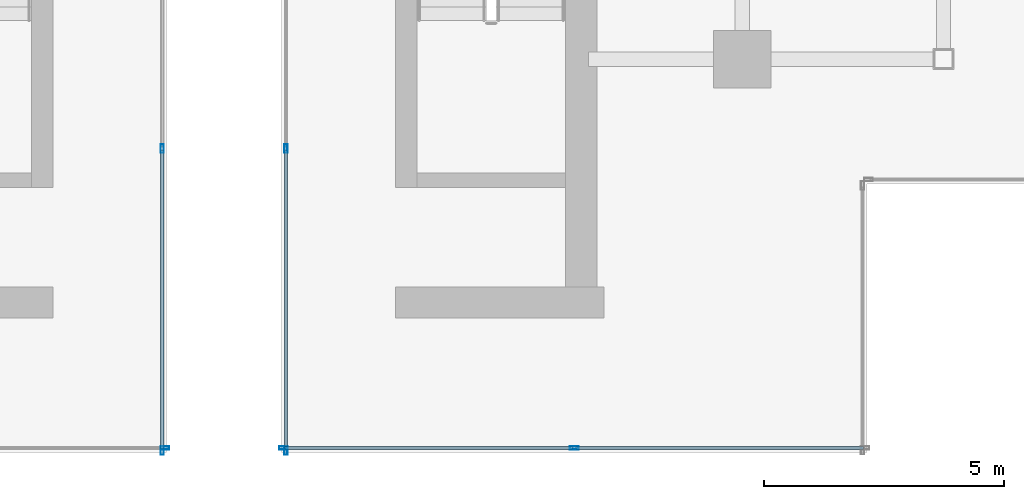
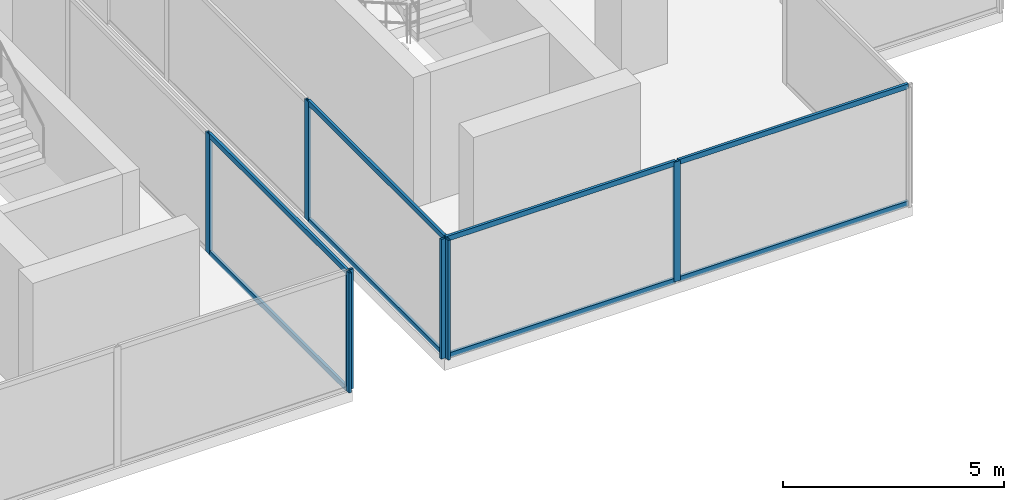
# One storey, part 5 of 25: 15 members, 4 elements without a shape of their own.
"""IFC4 building model written with IfcOpenShell, lengths in metres."""

from ifc_helpers import new_model, si_unit, direction, frame, origin, origin_2d, place, context, subcontext, project, spatial, hollow_rectangle, extrude, source, transform, mapped, material, material_profile, profile_set, type_object, type_shapes, element, aggregate, save


model = new_model("IFC4")

# Units and contexts
model_context = context("Model", 3, precision=1e-05, world=origin(), true_north=direction((0.0, 1.0)))
body_context = subcontext(model_context, "Body", "Model", "MODEL_VIEW")
ifc_project = project(units=[si_unit("LENGTHUNIT", "METRE"), si_unit("AREAUNIT", "SQUARE_METRE"), si_unit("VOLUMEUNIT", "CUBIC_METRE"), si_unit("PLANEANGLEUNIT", "RADIAN"), si_unit("MASSUNIT", "GRAM", prefix="KILO")], contexts=[model_context])

# Site, building, storey
site_placement = place(None, origin())
site = spatial("IfcSite", under=ifc_project, at=site_placement, CompositionType="ELEMENT")
building_placement = place(site_placement, origin())
building = spatial("IfcBuilding", under=site, at=building_placement, Name="Krantzveldt Concourse Tower", CompositionType="ELEMENT")
storey_placement = place(building_placement, frame((0.0, 0.0, 374.64990234375)))
storey = spatial("IfcBuildingStorey", under=building, at=storey_placement, Name="L92", CompositionType="ELEMENT", Elevation=374.64990234375)

# Curtain wall, members
ifc_material = material(Name="Anodised aluminium 6063-T6", Category="aluminium")
curtain_wall_type = type_object("IfcCurtainWallType", Name="CW7", PredefinedType="USERDEFINED", material=ifc_material)
curtain_wall_1_placement = place(storey_placement, origin())
curtain_wall_1 = element("IfcCurtainWall", 1, at=curtain_wall_1_placement, inside=storey, type_object=curtain_wall_type, Name="CW-L92-EAST-00", ObjectType="UNITISED CURTAIN WALL", PredefinedType="USERDEFINED")
ifc_material_profile_1 = material_profile(ifc_material, hollow_rectangle(XDim=0.070068359375, YDim=0.139892578125, WallThickness=0.0048828125, at=origin_2d()), Name="Anodised aluminium 6063-T6", Category="aluminium")
ifc_profile_set_1 = profile_set([ifc_material_profile_1], Name="Anodised aluminium 6063-T6 - ALU-TRAN 140x70x5")
member_type_1 = type_object("IfcMemberType", Name="CW-TRN-150", PredefinedType="USERDEFINED", material=ifc_profile_set_1)
shared_shape_1 = source(origin(), body_context, "Body", "SweptSolid", [
    extrude(hollow_rectangle(XDim=0.070068359375, YDim=0.139892578125, WallThickness=0.0048828125, at=origin_2d()), origin(), (0.0, 0.0, 1.0), 5.9951171875),
])
member_1_placement = place(storey_placement, frame((43.3349609375, 7.7900390625, 0.03515625), z_axis=(1.0, 0.0, 0.0), x_axis=(0.0, 1.0, 0.0)))
member_1 = element("IfcMember", 2, at=member_1_placement, type_object=member_type_1, Name="CW-CRN transom 2.1", ObjectType="TRANSOM", PredefinedType="USERDEFINED", context=body_context, shape_type="MappedRepresentation", body=[
    mapped(shared_shape_1, transform((0.0, 0.0, 0.0), x_axis=(1.0, 0.0, 0.0), y_axis=(0.0, 1.0, 0.0), z_axis=(0.0, 0.0, 1.0), scale=1.0)),
])
member_2_placement = place(storey_placement, frame((43.3349609375, 7.7900390625, 3.26513671875), z_axis=(1.0, 0.0, 0.0), x_axis=(0.0, 1.0, 0.0)))
member_2 = element("IfcMember", 3, at=member_2_placement, type_object=member_type_1, Name="CW-CRN transom 2.2", ObjectType="TRANSOM", PredefinedType="USERDEFINED", context=body_context, shape_type="MappedRepresentation", body=[
    mapped(shared_shape_1, transform((0.0, 0.0, 0.0), x_axis=(1.0, 0.0, 0.0), y_axis=(0.0, 1.0, 0.0), z_axis=(0.0, 0.0, 1.0), scale=1.0)),
])
shared_shape_2 = source(origin(), body_context, "Body", "SweptSolid", [
    extrude(hollow_rectangle(XDim=0.070068359375, YDim=0.139892578125, WallThickness=0.0048828125, at=origin_2d()), origin(), (0.0, 0.0, 1.0), 5.994873046875),
])
member_3_placement = place(storey_placement, frame((37.27001953125, 7.7900390625, 0.03515625), z_axis=(1.0, 0.0, 0.0), x_axis=(0.0, 1.0, 0.0)))
member_3 = element("IfcMember", 4, at=member_3_placement, type_object=member_type_1, Name="CW-CRN transom 1.1", ObjectType="TRANSOM", PredefinedType="USERDEFINED", context=body_context, shape_type="MappedRepresentation", body=[
    mapped(shared_shape_2, transform((0.0, 0.0, 0.0), x_axis=(1.0, 0.0, 0.0), y_axis=(0.0, 1.0, 0.0), z_axis=(0.0, 0.0, 1.0), scale=1.0)),
])
member_4_placement = place(storey_placement, frame((37.27001953125, 7.7900390625, 3.26513671875), z_axis=(1.0, 0.0, 0.0), x_axis=(0.0, 1.0, 0.0)))
member_4 = element("IfcMember", 5, at=member_4_placement, type_object=member_type_1, Name="CW-CRN transom 1.2", ObjectType="TRANSOM", PredefinedType="USERDEFINED", context=body_context, shape_type="MappedRepresentation", body=[
    mapped(shared_shape_2, transform((0.0, 0.0, 0.0), x_axis=(1.0, 0.0, 0.0), y_axis=(0.0, 1.0, 0.0), z_axis=(0.0, 0.0, 1.0), scale=1.0)),
])

curtain_wall_2_placement = place(storey_placement, origin())
curtain_wall_2 = element("IfcCurtainWall", 6, at=curtain_wall_2_placement, inside=storey, type_object=curtain_wall_type, Name="CW-L92-WEST-01", ObjectType="UNITISED CURTAIN WALL", PredefinedType="USERDEFINED")
shared_shape_3 = source(origin(), body_context, "Body", "SweptSolid", [
    extrude(hollow_rectangle(XDim=0.070068359375, YDim=0.139892578125, WallThickness=0.0048828125, at=origin_2d()), origin(), (0.0, 0.0, 1.0), 6.228271484375),
])
type_shapes(member_type_1, [shared_shape_1, shared_shape_2, shared_shape_3])
member_5_placement = place(storey_placement, frame((34.7099609375, 7.77001953125, 0.03515625), z_axis=(0.0, 1.0, 0.0), x_axis=(-1.0, 0.0, 0.0)))
member_5 = element("IfcMember", 7, at=member_5_placement, type_object=member_type_1, Name="CW-CRN transom 1.1", ObjectType="TRANSOM", PredefinedType="USERDEFINED", context=body_context, shape_type="MappedRepresentation", body=[
    mapped(shared_shape_3, transform((0.0, 0.0, 0.0), x_axis=(1.0, 0.0, 0.0), y_axis=(0.0, 1.0, 0.0), z_axis=(0.0, 0.0, 1.0), scale=1.0)),
])
member_6_placement = place(storey_placement, frame((34.7099609375, 7.77001953125, 3.26513671875), z_axis=(0.0, 1.0, 0.0), x_axis=(-1.0, 0.0, 0.0)))
member_6 = element("IfcMember", 8, at=member_6_placement, type_object=member_type_1, Name="CW-CRN transom 1.2", ObjectType="TRANSOM", PredefinedType="USERDEFINED", context=body_context, shape_type="MappedRepresentation", body=[
    mapped(shared_shape_3, transform((0.0, 0.0, 0.0), x_axis=(1.0, 0.0, 0.0), y_axis=(0.0, 1.0, 0.0), z_axis=(0.0, 0.0, 1.0), scale=1.0)),
])

curtain_wall_3_placement = place(storey_placement, origin())
curtain_wall_3 = element("IfcCurtainWall", 9, at=curtain_wall_3_placement, inside=storey, type_object=curtain_wall_type, Name="CW-L92-EAST-07", ObjectType="UNITISED CURTAIN WALL", PredefinedType="USERDEFINED")
member_7_placement = place(storey_placement, frame((37.2900390625, 13.998291015625, 0.03515625), z_axis=(0.0, -1.0, 0.0), x_axis=(1.0, 0.0, 0.0)))
member_7 = element("IfcMember", 10, at=member_7_placement, type_object=member_type_1, Name="CW-CRN transom 6.1", ObjectType="TRANSOM", PredefinedType="USERDEFINED", context=body_context, shape_type="MappedRepresentation", body=[
    mapped(shared_shape_3, transform((0.0, 0.0, 0.0), x_axis=(1.0, 0.0, 0.0), y_axis=(0.0, 1.0, 0.0), z_axis=(0.0, 0.0, 1.0), scale=1.0)),
])
member_8_placement = place(storey_placement, frame((37.2900390625, 13.998291015625, 3.26513671875), z_axis=(0.0, -1.0, 0.0), x_axis=(1.0, 0.0, 0.0)))
member_8 = element("IfcMember", 11, at=member_8_placement, type_object=member_type_1, Name="CW-CRN transom 6.2", ObjectType="TRANSOM", PredefinedType="USERDEFINED", context=body_context, shape_type="MappedRepresentation", body=[
    mapped(shared_shape_3, transform((0.0, 0.0, 0.0), x_axis=(1.0, 0.0, 0.0), y_axis=(0.0, 1.0, 0.0), z_axis=(0.0, 0.0, 1.0), scale=1.0)),
])

# Curtain wall, member
curtain_wall_4_placement = place(storey_placement, origin())
curtain_wall_4 = element("IfcCurtainWall", 12, at=curtain_wall_4_placement, inside=storey, type_object=curtain_wall_type, Name="CW-L92-WEST-00", ObjectType="UNITISED CURTAIN WALL", PredefinedType="USERDEFINED")
ifc_material_profile_2 = material_profile(ifc_material, hollow_rectangle(XDim=0.070068359375, YDim=0.179931640625, WallThickness=0.0048828125, at=origin_2d()), Name="Anodised aluminium 6063-T6", Category="aluminium")
ifc_profile_set_2 = profile_set([ifc_material_profile_2], Name="Anodised aluminium 6063-T6 - ALU-MULL 180x70x5")
member_type_2 = type_object("IfcMemberType", Name="CW-MUL-180", PredefinedType="MULLION", material=ifc_profile_set_2)
shared_shape_4 = source(origin(), body_context, "Body", "SweptSolid", [
    extrude(hollow_rectangle(XDim=0.070068359375, YDim=0.179931640625, WallThickness=0.0048828125, at=origin_2d()), origin(), (0.0, 0.0, 1.0), 3.300048828125),
])
type_shapes(member_type_2, [shared_shape_4])
member_9_placement = place(storey_placement, frame((34.764892578125, 7.7900390625, 0.0), z_axis=(0.0, 0.0, 1.0), x_axis=(0.0, 1.0, 0.0)))
member_9 = element("IfcMember", 13, at=member_9_placement, type_object=member_type_2, Name="CW-CRN mullion 3", PredefinedType="MULLION", context=body_context, shape_type="MappedRepresentation", body=[
    mapped(shared_shape_4, transform((0.0, 0.0, 0.0), x_axis=(1.0, 0.0, 0.0), y_axis=(0.0, 1.0, 0.0), z_axis=(0.0, 0.0, 1.0), scale=1.0)),
])
aggregate(curtain_wall_4, [member_9])

# Member
member_10_placement = place(storey_placement, frame((34.7099609375, 7.735107421875, 0.0), z_axis=(0.0, 0.0, 1.0), x_axis=(-1.0, 0.0, 0.0)))
member_10 = element("IfcMember", 14, at=member_10_placement, type_object=member_type_2, Name="CW-CRN mullion 1", PredefinedType="MULLION", context=body_context, shape_type="MappedRepresentation", body=[
    mapped(shared_shape_4, transform((0.0, 0.0, 0.0), x_axis=(1.0, 0.0, 0.0), y_axis=(0.0, 1.0, 0.0), z_axis=(0.0, 0.0, 1.0), scale=1.0)),
])

member_11_placement = place(storey_placement, frame((34.7099609375, 14.033447265625, 0.0), z_axis=(0.0, 0.0, 1.0), x_axis=(-1.0, 0.0, 0.0)))
member_11 = element("IfcMember", 15, at=member_11_placement, type_object=member_type_2, Name="CW-CRN mullion 2", PredefinedType="MULLION", context=body_context, shape_type="MappedRepresentation", body=[
    mapped(shared_shape_4, transform((0.0, 0.0, 0.0), x_axis=(1.0, 0.0, 0.0), y_axis=(0.0, 1.0, 0.0), z_axis=(0.0, 0.0, 1.0), scale=1.0)),
])

aggregate(curtain_wall_2, [member_10, member_11, member_5, member_6])

member_12_placement = place(storey_placement, frame((37.235107421875, 7.7900390625, 0.0), z_axis=(0.0, 0.0, 1.0), x_axis=(0.0, 1.0, 0.0)))
member_12 = element("IfcMember", 16, at=member_12_placement, type_object=member_type_2, Name="CW-CRN mullion 1", PredefinedType="MULLION", context=body_context, shape_type="MappedRepresentation", body=[
    mapped(shared_shape_4, transform((0.0, 0.0, 0.0), x_axis=(1.0, 0.0, 0.0), y_axis=(0.0, 1.0, 0.0), z_axis=(0.0, 0.0, 1.0), scale=1.0)),
])

member_13_placement = place(storey_placement, frame((43.300048828125, 7.7900390625, 0.0), z_axis=(0.0, 0.0, 1.0), x_axis=(0.0, 1.0, 0.0)))
member_13 = element("IfcMember", 17, at=member_13_placement, type_object=member_type_2, Name="CW-CRN mullion 2", PredefinedType="MULLION", context=body_context, shape_type="MappedRepresentation", body=[
    mapped(shared_shape_4, transform((0.0, 0.0, 0.0), x_axis=(1.0, 0.0, 0.0), y_axis=(0.0, 1.0, 0.0), z_axis=(0.0, 0.0, 1.0), scale=1.0)),
])

aggregate(curtain_wall_1, [member_12, member_13, member_3, member_4, member_1, member_2])

member_14_placement = place(storey_placement, frame((37.2900390625, 14.033447265625, 0.0), z_axis=(0.0, 0.0, 1.0), x_axis=(1.0, 0.0, 0.0)))
member_14 = element("IfcMember", 18, at=member_14_placement, type_object=member_type_2, Name="CW-CRN mullion 6", PredefinedType="MULLION", context=body_context, shape_type="MappedRepresentation", body=[
    mapped(shared_shape_4, transform((0.0, 0.0, 0.0), x_axis=(1.0, 0.0, 0.0), y_axis=(0.0, 1.0, 0.0), z_axis=(0.0, 0.0, 1.0), scale=1.0)),
])

member_15_placement = place(storey_placement, frame((37.2900390625, 7.735107421875, 0.0), z_axis=(0.0, 0.0, 1.0), x_axis=(1.0, 0.0, 0.0)))
member_15 = element("IfcMember", 19, at=member_15_placement, type_object=member_type_2, Name="CW-CRN mullion 7", PredefinedType="MULLION", context=body_context, shape_type="MappedRepresentation", body=[
    mapped(shared_shape_4, transform((0.0, 0.0, 0.0), x_axis=(1.0, 0.0, 0.0), y_axis=(0.0, 1.0, 0.0), z_axis=(0.0, 0.0, 1.0), scale=1.0)),
])

aggregate(curtain_wall_3, [member_14, member_15, member_7, member_8])

save(model, "model.ifc")
